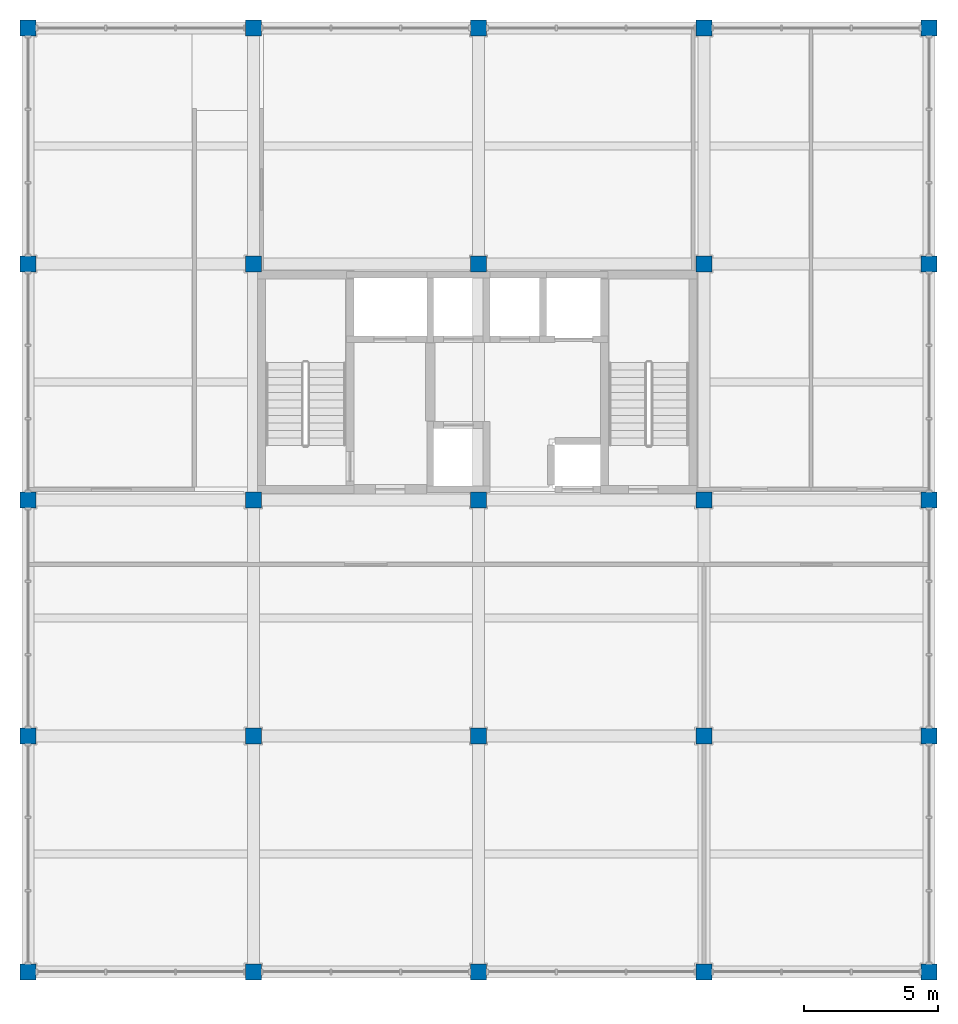
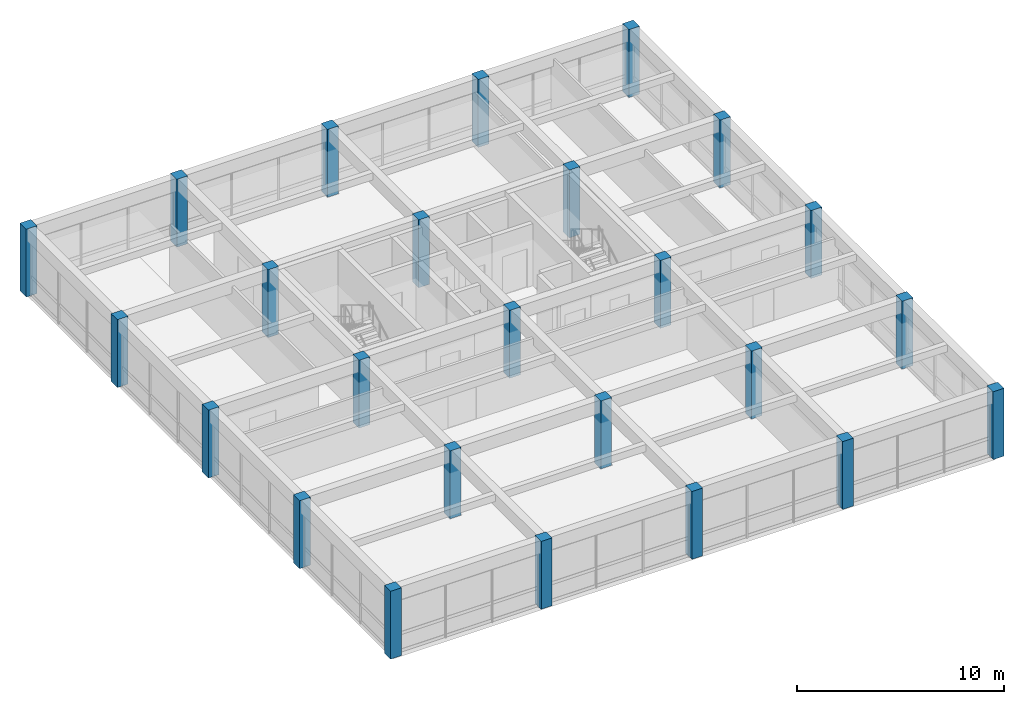
# One storey, part 1 of 14: 25 columns.
"""IFC4 building model written with IfcOpenShell, lengths in metres."""

import ifcopenshell
import ifcopenshell.guid

model = None  # the IFC model being written
_history = None  # IfcOwnerHistory: only IFC2X3 demands one
_inside = {}  # id of a spatial element -> (the spatial element, [elements in it])
_under = {}  # id of a project, library or spatial element -> (it, [spatial elements below it])
_declared = {}  # id of a project -> (the project, [libraries it declares])
_typed = {}  # id of a type object -> (the type object, [elements of that type])
_made_of = {}  # id of a material, layer set ... -> (it, [elements and type objects made of it])


def new_model(schema):
    """Start an empty IFC model of exactly this schema.

    Asked for "IFC4X3", IfcOpenShell would pick the latest addendum, in which some entities
    have other attributes; the version numbers below select the first issue.
    IFC2X3 requires an IfcOwnerHistory on every rooted entity: one is made here for all.
    """
    global model, _history
    if schema == "IFC4X3":
        model = ifcopenshell.file(schema_version=(4, 3, 0, 0))
    else:
        model = ifcopenshell.file(schema=schema)
    _inside.clear()
    _under.clear()
    _declared.clear()
    _typed.clear()
    _made_of.clear()
    _history = None
    if model.schema == "IFC2X3":
        org = make("IfcOrganization", Name="unknown")
        user = make(
            "IfcPersonAndOrganization",
            ThePerson=make("IfcPerson", FamilyName="unknown"),
            TheOrganization=org,
        )
        app = make(
            "IfcApplication",
            ApplicationDeveloper=org,
            Version="unknown",
            ApplicationFullName="unknown",
            ApplicationIdentifier="unknown",
        )
        _history = make(
            "IfcOwnerHistory",
            OwningUser=user,
            OwningApplication=app,
            ChangeAction="ADDED",
            CreationDate=0,
        )
    return model


def make(cls, **values):
    """One entity of the class cls with the attributes given. An attribute that is None is left unset."""
    return model.create_entity(
        cls, **{name: value for name, value in values.items() if value is not None}
    )


def rooted(cls, **values):
    """An entity with a GlobalId (a new one), such as an element, a storey or a relation."""
    return make(cls, GlobalId=ifcopenshell.guid.new(), OwnerHistory=_history, **values)


def si_unit(unit_type, name, prefix=None):
    """IfcSIUnit, for example si_unit("LENGTHUNIT", "METRE", prefix="MILLI")."""
    return make("IfcSIUnit", UnitType=unit_type, Prefix=prefix, Name=name)


def assignment(units):
    """IfcUnitAssignment: the units of a project."""
    return None if units is None else make("IfcUnitAssignment", Units=units)


def point(xyz):
    """IfcCartesianPoint."""
    return None if xyz is None else make("IfcCartesianPoint", Coordinates=xyz)


def direction(xyz):
    """IfcDirection."""
    return None if xyz is None else make("IfcDirection", DirectionRatios=xyz)


def frame(location, z_axis=None, x_axis=None):
    """IfcAxis2Placement3D, a coordinate frame: its origin and axes. An axis left out is left unset."""
    return make(
        "IfcAxis2Placement3D",
        Location=point(location),
        Axis=direction(z_axis),
        RefDirection=direction(x_axis),
    )


def frame_2d(location, x_axis=None):
    """IfcAxis2Placement2D, a coordinate frame in the plane: its origin and x axis."""
    return make(
        "IfcAxis2Placement2D", Location=point(location), RefDirection=direction(x_axis)
    )


def origin():
    """The frame at (0, 0, 0) with its axes left unset."""
    return frame((0.0, 0.0, 0.0))


def origin_2d():
    """The frame at (0, 0) in the plane with its x axis left unset."""
    return frame_2d((0.0, 0.0))


def place(relative_to, where):
    """IfcLocalPlacement: puts the frame where relative to a parent placement (None: the world)."""
    return make(
        "IfcLocalPlacement", PlacementRelTo=relative_to, RelativePlacement=where
    )


def context(
    kind, dimensions, precision=None, world=None, true_north=None, identifier=None
):
    """IfcGeometricRepresentationContext, for example the 3D "Model" context."""
    return make(
        "IfcGeometricRepresentationContext",
        ContextIdentifier=identifier,
        ContextType=kind,
        CoordinateSpaceDimension=dimensions,
        Precision=precision,
        WorldCoordinateSystem=world,
        TrueNorth=true_north,
    )


def subcontext(parent, identifier, kind, view, scale=None):
    """IfcGeometricRepresentationSubContext, for example "Body" below "Model"."""
    return make(
        "IfcGeometricRepresentationSubContext",
        ContextIdentifier=identifier,
        ContextType=kind,
        ParentContext=parent,
        TargetScale=scale,
        TargetView=view,
    )


def project(units=None, contexts=None):
    """IfcProject with its units and contexts."""
    return rooted(
        "IfcProject",
        Name="project",
        RepresentationContexts=contexts,
        UnitsInContext=assignment(units),
    )


def spatial(cls, under=None, at=None, **own):
    """A site, building, storey or space (cls), placed at a placement, below another one or the project."""
    s = rooted(cls, ObjectPlacement=at, **own)
    if under is not None:
        _under.setdefault(under.id(), (under, []))[1].append(s)
    return s


def profile(cls, at=None, kind="AREA", **sizes):
    """A parametric profile (cls). Its sizes go by their IFC names, for example OverallWidth=200.0."""
    return make(cls, ProfileType=kind, Position=at, **sizes)


def rectangle(**sizes):
    """IfcRectangleProfileDef."""
    return profile("IfcRectangleProfileDef", **sizes)


def extrude(swept, where, along, depth):
    """IfcExtrudedAreaSolid: the profile swept, set in the frame where, extruded along a direction by depth."""
    return make(
        "IfcExtrudedAreaSolid",
        SweptArea=swept,
        Position=where,
        ExtrudedDirection=direction(along),
        Depth=depth,
    )


def shape(context_of_items, identifier, shape_type, items):
    """IfcShapeRepresentation: the items that make up one representation, for example the "Body"."""
    return make(
        "IfcShapeRepresentation",
        ContextOfItems=context_of_items,
        RepresentationIdentifier=identifier,
        RepresentationType=shape_type,
        Items=items,
    )


def material(Name=None, Category=None):
    """IfcMaterial."""
    return make("IfcMaterial", Name=Name, Category=Category)


def material_profile(
    of_material, cross_section, Name=None, Category=None, Priority=None
):
    """IfcMaterialProfile: a cross section and its material."""
    return make(
        "IfcMaterialProfile",
        Name=Name,
        Material=of_material,
        Profile=cross_section,
        Priority=Priority,
        Category=Category,
    )


def profile_set(profiles, Name=None, composite=None):
    """IfcMaterialProfileSet."""
    return make(
        "IfcMaterialProfileSet",
        Name=Name,
        MaterialProfiles=profiles,
        CompositeProfile=composite,
    )


def made_of(thing, what):
    """Note that an element or type object is made of a material, layer set ...; save() writes the relation."""
    if what is not None:
        _made_of.setdefault(what.id(), (what, []))[1].append(thing)
    return thing


def type_object(cls, material=None, **own):
    """A type object (cls), such as IfcWallType, which elements share."""
    return made_of(rooted(cls, **own), material)


def element(
    cls,
    number,
    at=None,
    inside=None,
    cuts=None,
    type_object=None,
    material=None,
    context=None,
    identifier="Body",
    shape_type=None,
    held_by="IfcProductDefinitionShape",
    body=None,
    shapes=None,
    **own,
):
    """One element of the class cls, such as IfcWall. Its Tag is "e" and its number.

    at: its placement. inside: the storey or other place that contains it. cuts: it is an
    opening in that element (IfcRelVoidsElement). A single representation is given by context,
    identifier, shape_type and body (its items); several are given by shapes. held_by: the class
    of the entity that holds the representations. save() writes the other relations.
    """
    e = rooted(cls, Tag="e%d" % number, ObjectPlacement=at, **own)
    if body is not None:
        shapes = [shape(context, identifier, shape_type, body)]
    if shapes is not None:
        e.Representation = make(held_by, Representations=shapes)
    if inside is not None:
        _inside.setdefault(inside.id(), (inside, []))[1].append(e)
    if cuts is not None:
        rooted(
            "IfcRelVoidsElement", RelatingBuildingElement=cuts, RelatedOpeningElement=e
        )
    if type_object is not None:
        _typed.setdefault(type_object.id(), (type_object, []))[1].append(e)
    return made_of(e, material)


def aggregate(whole, parts):
    """IfcRelAggregates: a whole, such as a stair, and the parts it consists of."""
    return rooted("IfcRelAggregates", RelatingObject=whole, RelatedObjects=parts)


def save(model, path):
    """Write the relations noted so far, then the file.

    IfcRelAggregates (storeys below a building ...), IfcRelContainedInSpatialStructure (elements
    in a storey), IfcRelDefinesByType, IfcRelAssociatesMaterial and IfcRelDeclares: one each for
    every whole, place, type object, material and project.
    """
    for whole, parts in _under.values():
        aggregate(whole, parts)
    for where, things in _inside.values():
        rooted(
            "IfcRelContainedInSpatialStructure",
            RelatedElements=things,
            RelatingStructure=where,
        )
    for kind, things in _typed.values():
        rooted("IfcRelDefinesByType", RelatedObjects=things, RelatingType=kind)
    for what, things in _made_of.values():
        rooted("IfcRelAssociatesMaterial", RelatedObjects=things, RelatingMaterial=what)
    for by, libraries in _declared.values():
        rooted("IfcRelDeclares", RelatingContext=by, RelatedDefinitions=libraries)
    model.write(path)


model = new_model("IFC4")

# Units and contexts
model_context = context("Model", 3, precision=1e-05, world=origin(), true_north=direction((0.0, 1.0)))
body_context = subcontext(model_context, "Body", "Model", "MODEL_VIEW")
ifc_project = project(units=[si_unit("LENGTHUNIT", "METRE"), si_unit("AREAUNIT", "SQUARE_METRE"), si_unit("VOLUMEUNIT", "CUBIC_METRE"), si_unit("PLANEANGLEUNIT", "RADIAN"), si_unit("MASSUNIT", "GRAM", prefix="KILO")], contexts=[model_context])

# Site, building, storey
site_placement = place(None, origin())
site = spatial("IfcSite", under=ifc_project, at=site_placement, CompositionType="ELEMENT")
building_placement = place(site_placement, origin())
building = spatial("IfcBuilding", under=site, at=building_placement, Name="Kemercrest Conservatory and Botanical Centre", CompositionType="ELEMENT")
storey_placement = place(building_placement, frame((0.0, 0.0, 59.800048828125)))
storey = spatial("IfcBuildingStorey", under=building, at=storey_placement, Name="L15", CompositionType="ELEMENT", Elevation=59.800048828125)

# Columns
ifc_material = material(Name="Concrete C40/50", Category="concrete")
ifc_material_profile = material_profile(ifc_material, rectangle(XDim=0.60009765625, YDim=0.60009765625, at=origin_2d()), Name="RC 600x600")
ifc_profile_set = profile_set([ifc_material_profile], Name="Concrete C40/50")
column_type = type_object("IfcColumnType", Name="C-RC60", PredefinedType="COLUMN", material=ifc_profile_set)
for number, where, z_axis, x_axis, name in (
    (1, (142.39990234375, 87.199951171875, 0.0), (0.0, 0.0, 1.0), (1.0, 0.0, 0.0), "Tower column C-RC60 17/K"),
    (2, (142.39990234375, 96.0, 0.0), (0.0, 0.0, 1.0), (1.0, 0.0, 0.0), "Tower column C-RC60 17/L"),
    (3, (142.39990234375, 104.800048828125, 0.0), (0.0, 0.0, 1.0), (1.0, 0.0, 0.0), "Tower column C-RC60 17/M"),
    (4, (142.39990234375, 113.60009765625, 0.0), (0.0, 0.0, 1.0), (1.0, 0.0, 0.0), "Tower column C-RC60 17/N"),
    (5, (142.39990234375, 122.39990234375, 0.0), (0.0, 0.0, 1.0), (1.0, 0.0, 0.0), "Tower column C-RC60 17/P"),
    (6, (150.800048828125, 87.199951171875, 0.0), (0.0, 0.0, 1.0), (1.0, 0.0, 0.0), "Tower column C-RC60 18/K"),
    (7, (150.800048828125, 96.0, 0.0), (0.0, 0.0, 1.0), (1.0, 0.0, 0.0), "Tower column C-RC60 18/L"),
    (8, (150.800048828125, 104.800048828125, 0.0), (0.0, 0.0, 1.0), (1.0, 0.0, 0.0), "Tower column C-RC60 18/M"),
    (9, (150.800048828125, 113.60009765625, 0.0), (0.0, 0.0, 1.0), (1.0, 0.0, 0.0), "Tower column C-RC60 18/N"),
    (10, (150.800048828125, 122.39990234375, 0.0), (0.0, 0.0, 1.0), (1.0, 0.0, 0.0), "Tower column C-RC60 18/P"),
    (11, (159.199951171875, 87.199951171875, 0.0), (0.0, 0.0, 1.0), (1.0, 0.0, 0.0), "Tower column C-RC60 19/K"),
    (12, (159.199951171875, 96.0, 0.0), (0.0, 0.0, 1.0), (1.0, 0.0, 0.0), "Tower column C-RC60 19/L"),
    (13, (159.199951171875, 104.800048828125, 0.0), (0.0, 0.0, 1.0), (1.0, 0.0, 0.0), "Tower column C-RC60 19/M"),
    (14, (159.199951171875, 113.60009765625, 0.0), (0.0, 0.0, 1.0), (1.0, 0.0, 0.0), "Tower column C-RC60 19/N"),
    (15, (159.199951171875, 122.39990234375, 0.0), (0.0, 0.0, 1.0), (1.0, 0.0, 0.0), "Tower column C-RC60 19/P"),
    (16, (167.60009765625, 87.199951171875, 0.0), (0.0, 0.0, 1.0), (1.0, 0.0, 0.0), "Tower column C-RC60 20/K"),
    (17, (167.60009765625, 96.0, 0.0), (0.0, 0.0, 1.0), (1.0, 0.0, 0.0), "Tower column C-RC60 20/L"),
    (18, (167.60009765625, 104.800048828125, 0.0), (0.0, 0.0, 1.0), (1.0, 0.0, 0.0), "Tower column C-RC60 20/M"),
    (19, (167.60009765625, 113.60009765625, 0.0), (0.0, 0.0, 1.0), (1.0, 0.0, 0.0), "Tower column C-RC60 20/N"),
    (20, (167.60009765625, 122.39990234375, 0.0), (0.0, 0.0, 1.0), (1.0, 0.0, 0.0), "Tower column C-RC60 20/P"),
    (21, (176.0, 87.199951171875, 0.0), (0.0, 0.0, 1.0), (1.0, 0.0, 0.0), "Tower column C-RC60 21/K"),
    (22, (176.0, 96.0, 0.0), (0.0, 0.0, 1.0), (1.0, 0.0, 0.0), "Tower column C-RC60 21/L"),
    (23, (176.0, 104.800048828125, 0.0), (0.0, 0.0, 1.0), (1.0, 0.0, 0.0), "Tower column C-RC60 21/M"),
    (24, (176.0, 113.60009765625, 0.0), (0.0, 0.0, 1.0), (1.0, 0.0, 0.0), "Tower column C-RC60 21/N"),
    (25, (176.0, 122.39990234375, 0.0), (0.0, 0.0, 1.0), (1.0, 0.0, 0.0), "Tower column C-RC60 21/P"),
):
    element("IfcColumn", number, at=place(storey_placement, frame(where, z_axis=z_axis, x_axis=x_axis)), inside=storey, type_object=column_type, Name=name, PredefinedType="COLUMN", context=body_context, shape_type="SweptSolid", body=[
        extrude(rectangle(XDim=0.60009765625, YDim=0.60009765625, at=origin_2d()), origin(), (0.0, 0.0, 1.0), 4.0),
    ])

save(model, "model.ifc")
